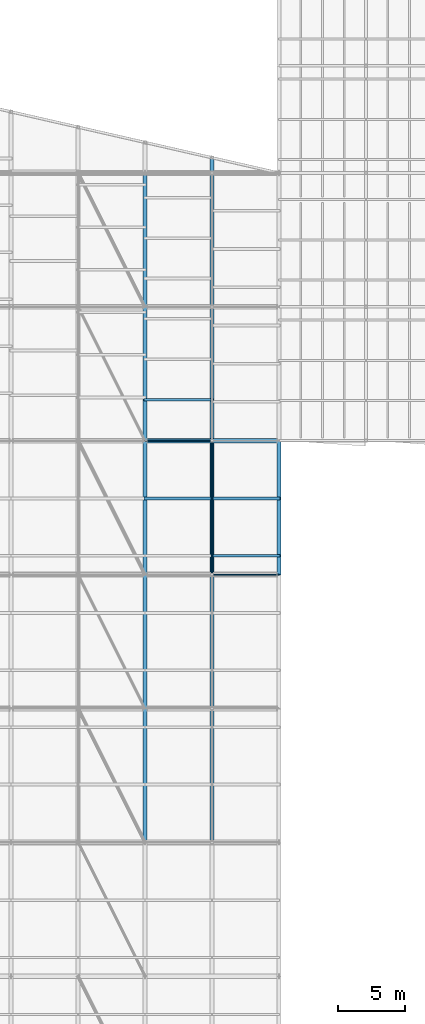
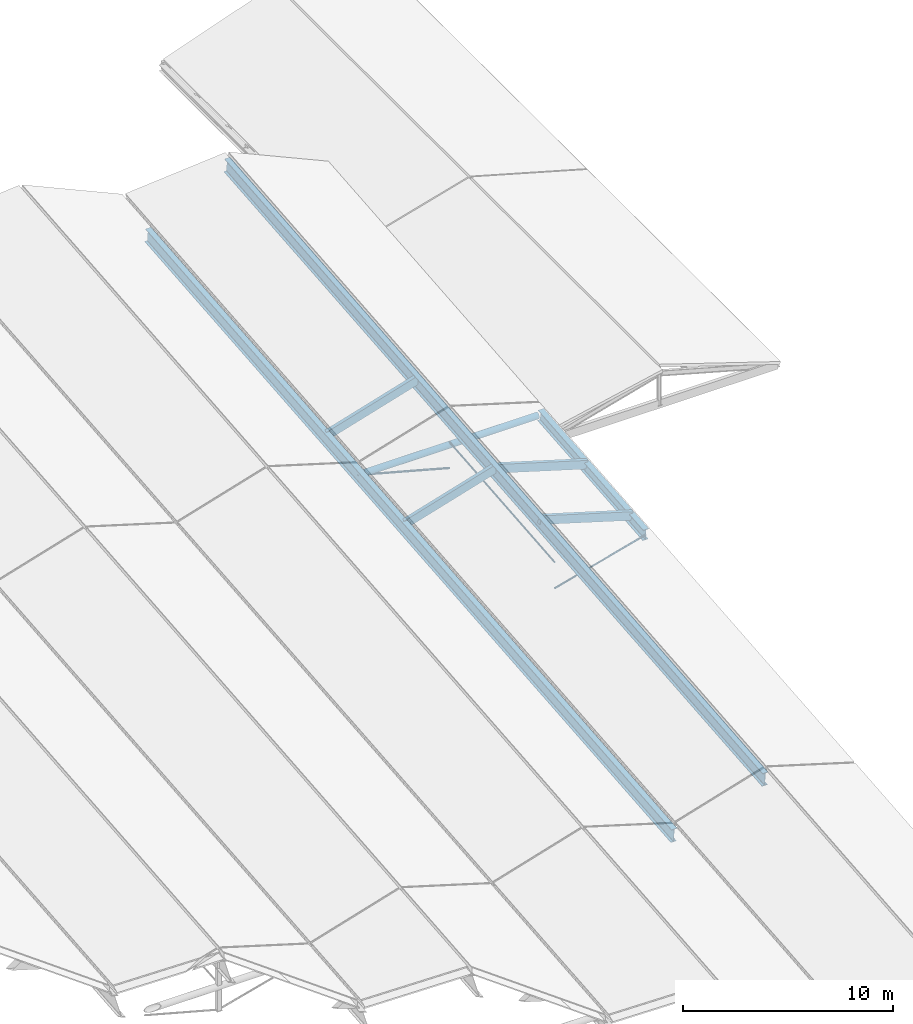
# One storey, part 43 of 90: 7 members, 4 beams.
"""IFC4 building model written with IfcOpenShell, lengths in metres."""

from ifc_helpers import new_model, si_unit, direction, frame, origin, origin_2d, place, context, subcontext, project, spatial, rectangle, circle, hollow_circle, i_section, extrude, material, material_profile, profile_set, type_object, element, save


model = new_model("IFC4")

# Units and contexts
model_context = context("Model", 3, precision=1e-05, world=origin(), true_north=direction((0.0, 1.0)))
body_context = subcontext(model_context, "Body", "Model", "MODEL_VIEW")
ifc_project = project(units=[si_unit("LENGTHUNIT", "METRE"), si_unit("AREAUNIT", "SQUARE_METRE"), si_unit("VOLUMEUNIT", "CUBIC_METRE"), si_unit("PLANEANGLEUNIT", "RADIAN"), si_unit("MASSUNIT", "GRAM", prefix="KILO"), si_unit("THERMODYNAMICTEMPERATUREUNIT", "KELVIN"), si_unit("POWERUNIT", "WATT")], contexts=[model_context])

# Site, building, storey
site_placement = place(None, origin())
site = spatial("IfcSite", under=ifc_project, at=site_placement, CompositionType="ELEMENT")
building_placement = place(site_placement, origin())
building = spatial("IfcBuilding", under=site, at=building_placement, Name="Korenveer Ferry Terminal", CompositionType="ELEMENT")
storey_placement = place(building_placement, frame((0.0, 0.0, 22.199951171875)))
storey = spatial("IfcBuildingStorey", under=building, at=storey_placement, Name="RF", CompositionType="ELEMENT", Elevation=22.199951171875)

# Beams
ifc_material_1 = material(Name="Steel S355", Category="steel")
ifc_material_profile_1 = material_profile(ifc_material_1, i_section(OverallWidth=0.300048828125, OverallDepth=0.64990234375, WebThickness=0.01611328125, FlangeThickness=0.031005859375, FilletRadius=0.027099609375, at=origin_2d()), Name="HEB 650")
ifc_profile_set_1 = profile_set([ifc_material_profile_1], Name="Steel S355")
beam_type_1 = type_object("IfcBeamType", Name="STR-BM-HEB650", PredefinedType="BEAM", material=ifc_profile_set_1)
beam_1_placement = place(storey_placement, frame((123.0, 70.0, -6.861572265625), z_axis=(0.0, 0.995903364261, 0.090423940715), x_axis=(-1.0, 0.0, 0.0)))
element("IfcBeam", 1, at=beam_1_placement, inside=storey, type_object=beam_type_1, Name="Folded roof valley girder 58", PredefinedType="BEAM", context=body_context, shape_type="SweptSolid", body=[
    extrude(i_section(OverallWidth=0.300048828125, OverallDepth=0.64990234375, WebThickness=0.01611328125, FlangeThickness=0.031005859375, FilletRadius=0.027099609375, at=origin_2d()), origin(), (0.0, 0.0, 1.0), 10.041015625),
])
ifc_material_profile_2 = material_profile(ifc_material_1, i_section(OverallWidth=0.300048828125, OverallDepth=0.800048828125, WebThickness=0.017578125, FlangeThickness=0.032958984375, FilletRadius=0.030029296875, at=origin_2d()), Name="HEB 800")
ifc_profile_set_2 = profile_set([ifc_material_profile_2], Name="Steel S355")
beam_type_2 = type_object("IfcBeamType", Name="STR-BM-HEB800", PredefinedType="BEAM", material=ifc_profile_set_2)
beam_2_placement = place(storey_placement, frame((118.0, 50.0, -7.16796875), z_axis=(0.0, 0.995902942801, 0.090428582425), x_axis=(-1.0, 0.0, 0.0)))
element("IfcBeam", 2, at=beam_2_placement, inside=storey, type_object=beam_type_2, Name="Folded roof ridge girder 14", PredefinedType="BEAM", context=body_context, shape_type="SweptSolid", body=[
    extrude(i_section(OverallWidth=0.300048828125, OverallDepth=0.800048828125, WebThickness=0.017578125, FlangeThickness=0.032958984375, FilletRadius=0.030029296875, at=origin_2d()), origin(), (0.0, 0.0, 1.0), 51.353271484375),
])
beam_3_placement = place(storey_placement, frame((113.0, 50.0, -8.677734375), z_axis=(0.0, 0.995902926336, 0.09042876376), x_axis=(-1.0, 0.0, 0.0)))
element("IfcBeam", 3, at=beam_3_placement, inside=storey, type_object=beam_type_2, Name="Folded roof valley girder 51", PredefinedType="BEAM", context=body_context, shape_type="SweptSolid", body=[
    extrude(i_section(OverallWidth=0.300048828125, OverallDepth=0.800048828125, WebThickness=0.017578125, FlangeThickness=0.032958984375, FilletRadius=0.030029296875, at=origin_2d()), origin(), (0.0, 0.0, 1.0), 50.205810546875),
])

# Members
ifc_material_2 = material(Name="High-strength steel S460", Category="steel")
ifc_material_profile_3 = material_profile(ifc_material_2, circle(Radius=0.0380859375, at=origin_2d()), Name="ROD D76")
ifc_profile_set_3 = profile_set([ifc_material_profile_3], Name="High-strength steel S460")
member_type_1 = type_object("IfcMemberType", Name="STR-CBL-D76", PredefinedType="USERDEFINED", material=ifc_profile_set_3)
member_1_placement = place(storey_placement, frame((123.0, 70.0, -6.861572265625), z_axis=(-0.965424337217, 0.0, -0.260683426993), x_axis=(0.0, -1.0, 0.0)))
element("IfcMember", 4, at=member_1_placement, inside=storey, type_object=member_type_1, Name="Roof tension tie cable 56", ObjectType="CABLE", PredefinedType="USERDEFINED", context=body_context, shape_type="SweptSolid", body=[
    extrude(circle(Radius=0.0380859375, at=origin_2d()), origin(), (0.0, 0.0, 1.0), 5.178955078125),
])
ifc_material_profile_4 = material_profile(ifc_material_2, circle(Radius=0.044921875, at=origin_2d()), Name="ROD D90")
ifc_profile_set_4 = profile_set([ifc_material_profile_4], Name="High-strength steel S460")
member_type_2 = type_object("IfcMemberType", Name="STR-CBL-D90", PredefinedType="USERDEFINED", material=ifc_profile_set_4)
member_2_placement = place(storey_placement, frame((113.0, 80.0, -5.95361328125), z_axis=(0.965424337217, 0.0, -0.260683426993), x_axis=(0.0, 1.0, 0.0)))
element("IfcMember", 5, at=member_2_placement, inside=storey, type_object=member_type_2, Name="Roof tension tie cable 69", ObjectType="CABLE", PredefinedType="USERDEFINED", context=body_context, shape_type="SweptSolid", body=[
    extrude(circle(Radius=0.044921875, at=origin_2d()), origin(), (0.0, 0.0, 1.0), 5.178955078125),
])
member_3_placement = place(storey_placement, frame((118.0, 70.0, -6.701904296875), z_axis=(0.0, 0.995903364261, 0.090423940715), x_axis=(-1.0, 0.0, 0.0)))
element("IfcMember", 6, at=member_3_placement, inside=storey, type_object=member_type_2, Name="Longitudinal jaw-stay cable 131", ObjectType="CABLE", PredefinedType="USERDEFINED", context=body_context, shape_type="SweptSolid", body=[
    extrude(circle(Radius=0.044921875, at=origin_2d()), origin(), (0.0, 0.0, 1.0), 10.041015625),
])
ifc_material_3 = material(Name="Glulam GL28h", Category="wood")
ifc_material_profile_5 = material_profile(ifc_material_3, rectangle(XDim=0.199951171875, YDim=0.47998046875, at=origin_2d()), Name="GL 200x480")
ifc_profile_set_5 = profile_set([ifc_material_profile_5], Name="Glulam GL28h")
member_type_3 = type_object("IfcMemberType", Name="STR-PUR-GL200", PredefinedType="PURLIN", material=ifc_profile_set_5)
for number, where, z_axis, x_axis, name in (
    (7, (113.0, 75.678466796875, -6.187744140625), (0.957310140112, 0.0, 0.289062788401), (0.0, 1.0, 0.0), "Folded roof glulam purlin 234"),
    (8, (118.0, 71.4072265625, -5.06591796875), (0.957323074362, 0.0, -0.289019949647), (0.0, 1.0, 0.0), "Folded roof glulam purlin 239"),
    (9, (118.0, 75.678466796875, -4.677978515625), (0.957310140112, 0.0, -0.289062788401), (0.0, 1.0, 0.0), "Folded roof glulam purlin 240"),
    (10, (113.0, 83.06591796875, -5.516845703125), (0.957323074362, 0.0, 0.289019949647), (0.0, 1.0, 0.0), "Folded roof glulam purlin 241"),
):
    element("IfcMember", number, at=place(storey_placement, frame(where, z_axis=z_axis, x_axis=x_axis)), inside=storey, type_object=member_type_3, Name=name, PredefinedType="PURLIN", context=body_context, shape_type="SweptSolid", body=[
        extrude(rectangle(XDim=0.199951171875, YDim=0.47998046875, at=origin_2d()), origin(), (0.0, 0.0, 1.0), 5.222900390625),
    ])

# Beam
ifc_material_profile_6 = material_profile(ifc_material_1, hollow_circle(Radius=0.177734375, WallThickness=0.01611328125, at=origin_2d()), Name="CHS 355.6x16")
ifc_profile_set_6 = profile_set([ifc_material_profile_6], Name="Steel S355")
beam_type_3 = type_object("IfcBeamType", Name="STR-RFG-CHS355", PredefinedType="USERDEFINED", material=ifc_profile_set_6)
beam_4_placement = place(storey_placement, frame((113.159912109375, 80.0, -5.95361328125), z_axis=(1.0, 0.0, 0.0), x_axis=(0.0, 1.0, 0.0)))
element("IfcBeam", 11, at=beam_4_placement, inside=storey, type_object=beam_type_3, Name="Roof transverse tie girder 123", ObjectType="ROOF GIRDER", PredefinedType="USERDEFINED", context=body_context, shape_type="SweptSolid", body=[
    extrude(hollow_circle(Radius=0.177734375, WallThickness=0.01611328125, at=origin_2d()), origin(), (0.0, 0.0, 1.0), 9.68017578125),
])

save(model, "model.ifc")
